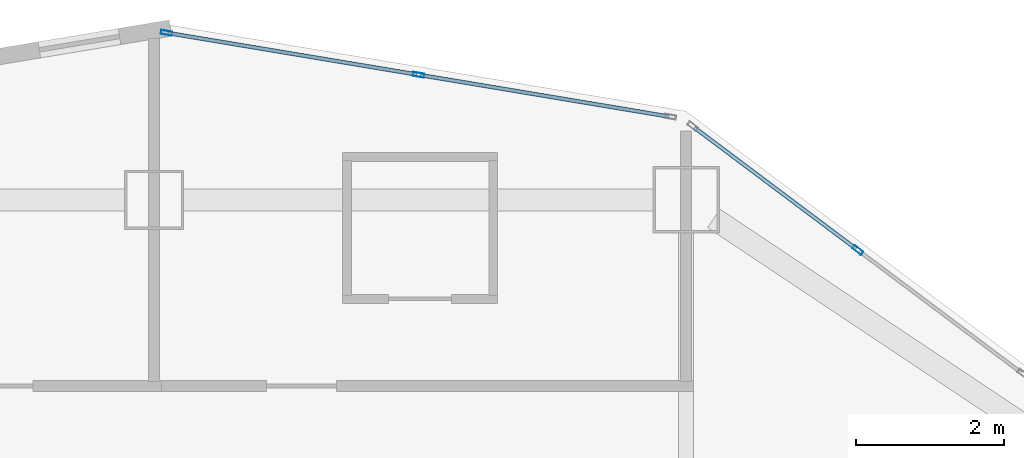
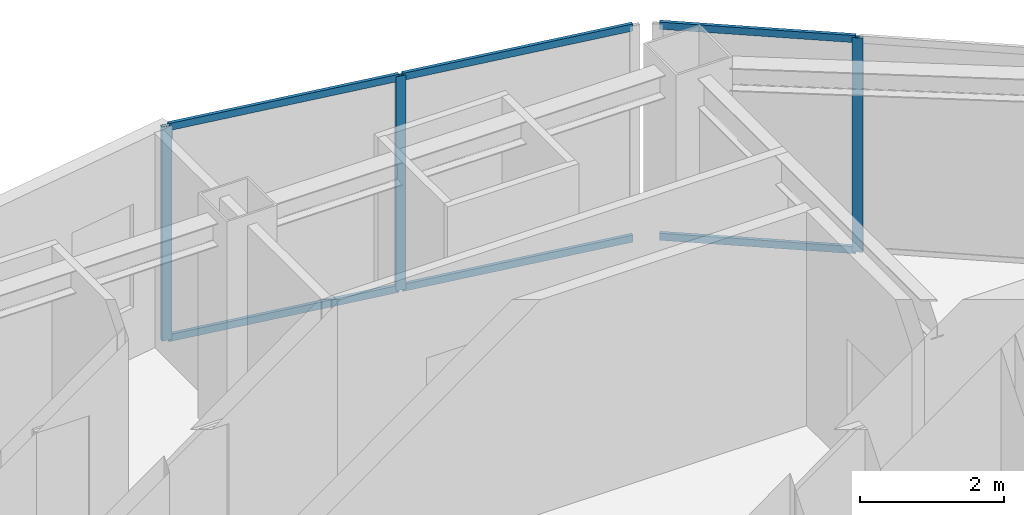
# One storey, part 2 of 11: 9 members, 2 elements without a shape of their own.
"""IFC4 building model written with IfcOpenShell, lengths in metres."""

from ifc_helpers import new_model, si_unit, direction, frame, origin, origin_2d, place, context, subcontext, project, spatial, hollow_rectangle, extrude, material, layer, layer_set, material_profile, profile_set, type_object, element, aggregate, save


model = new_model("IFC4")

# Units and contexts
model_context = context("Model", 3, precision=1e-05, world=origin(), true_north=direction((0.0, 1.0)))
body_context = subcontext(model_context, "Body", "Model", "MODEL_VIEW")
ifc_project = project(units=[si_unit("LENGTHUNIT", "METRE"), si_unit("AREAUNIT", "SQUARE_METRE"), si_unit("VOLUMEUNIT", "CUBIC_METRE"), si_unit("PLANEANGLEUNIT", "RADIAN"), si_unit("MASSUNIT", "GRAM", prefix="KILO")], contexts=[model_context])

# Site, building, storey
site_placement = place(None, origin())
site = spatial("IfcSite", under=ifc_project, at=site_placement, CompositionType="ELEMENT")
building_placement = place(site_placement, origin())
building = spatial("IfcBuilding", under=site, at=building_placement, Name="Haolan Belvedere Tower", CompositionType="ELEMENT")
storey_placement = place(building_placement, frame((0.0, 0.0, 215.39990234375)))
storey = spatial("IfcBuildingStorey", under=building, at=storey_placement, Name="L54", CompositionType="ELEMENT", Elevation=215.39990234375)

# Curtain wall, member
ifc_material_1 = material(Name="Anodised champagne-silver aluminium 6063-T6 and Low-E glass", Category="aluminium")
ifc_layer = layer(ifc_material_1, 0.14990234375, Name="Anodised champagne-silver aluminium 6063-T6 and Low-E glass")
ifc_layer_set = layer_set([ifc_layer], Name="Anodised champagne-silver aluminium 6063-T6 and Low-E glass")
curtain_wall_type = type_object("IfcCurtainWallType", Name="CW-SYS-04", PredefinedType="NOTDEFINED", material=ifc_layer_set)
curtain_wall_1_placement = place(storey_placement, origin())
curtain_wall_1 = element("IfcCurtainWall", 1, at=curtain_wall_1_placement, inside=storey, type_object=curtain_wall_type, Name="L54 CW-SYS-04 ribbon curtain wall 20.1", PredefinedType="NOTDEFINED")
ifc_material_2 = material(Name="Anodised aluminium 6063-T6", Category="aluminium")
ifc_material_profile_1 = material_profile(ifc_material_2, hollow_rectangle(XDim=0.055908203125, YDim=0.14990234375, WallThickness=0.00390625, at=origin_2d()), Name="Anodised aluminium 6063-T6")
ifc_profile_set_1 = profile_set([ifc_material_profile_1], Name="Anodised aluminium 6063-T6")
member_type_1 = type_object("IfcMemberType", Name="CW-SYS-04-MUL", PredefinedType="MULLION", material=ifc_profile_set_1)
member_1_placement = place(storey_placement, frame((47.9228515625, 49.720458984375, 0.0), z_axis=(0.0, 0.0, 1.0), x_axis=(-0.600002837806, -0.799997871638, 0.0)))
member_1 = element("IfcMember", 2, at=member_1_placement, type_object=member_type_1, Name="CW-04 mullion 2", PredefinedType="MULLION", context=body_context, shape_type="SweptSolid", body=[
    extrude(hollow_rectangle(XDim=0.055908203125, YDim=0.14990234375, WallThickness=0.00390625, at=origin_2d()), origin(), (0.0, 0.0, 1.0), 3.6201171875),
])

# Curtain wall, members
curtain_wall_2_placement = place(storey_placement, origin())
curtain_wall_2 = element("IfcCurtainWall", 3, at=curtain_wall_2_placement, inside=storey, type_object=curtain_wall_type, Name="L54 CW-SYS-04 ribbon curtain wall 21.1", PredefinedType="NOTDEFINED")
member_2_placement = place(storey_placement, frame((41.977783203125, 52.09228515625, 0.0), z_axis=(0.0, 0.0, 1.0), x_axis=(-0.164405962825, -0.98639276122, 0.0)))
member_2 = element("IfcMember", 4, at=member_2_placement, type_object=member_type_1, Name="CW-04 mullion 2", PredefinedType="MULLION", context=body_context, shape_type="SweptSolid", body=[
    extrude(hollow_rectangle(XDim=0.055908203125, YDim=0.14990234375, WallThickness=0.00390625, at=origin_2d()), origin(), (0.0, 0.0, 1.0), 3.6201171875),
])
member_3_placement = place(storey_placement, frame((38.565673828125, 52.660888671875, 0.0), z_axis=(0.0, 0.0, 1.0), x_axis=(-0.164405962825, -0.98639276122, 0.0)))
member_3 = element("IfcMember", 5, at=member_3_placement, type_object=member_type_1, Name="CW-04 mullion 3", PredefinedType="MULLION", context=body_context, shape_type="SweptSolid", body=[
    extrude(hollow_rectangle(XDim=0.055908203125, YDim=0.14990234375, WallThickness=0.00390625, at=origin_2d()), origin(), (0.0, 0.0, 1.0), 3.6201171875),
])

# Member
ifc_material_profile_2 = material_profile(ifc_material_2, hollow_rectangle(XDim=0.052001953125, YDim=0.1201171875, WallThickness=0.00390625, at=origin_2d()), Name="Anodised aluminium 6063-T6")
ifc_profile_set_2 = profile_set([ifc_material_profile_2], Name="Anodised aluminium 6063-T6")
member_type_2 = type_object("IfcMemberType", Name="CW-SYS-04-TRN", PredefinedType="USERDEFINED", material=ifc_profile_set_2)
member_4_placement = place(storey_placement, frame((47.900390625, 49.7373046875, 0.026123046875), z_axis=(-0.799978576274, 0.600028563905, 0.0), x_axis=(-0.600028563905, -0.799978576274, 0.0)))
member_4 = element("IfcMember", 6, at=member_4_placement, type_object=member_type_2, Name="CW-04 transom 2.1", ObjectType="TRANSOM", PredefinedType="USERDEFINED", context=body_context, shape_type="SweptSolid", body=[
    extrude(hollow_rectangle(XDim=0.052001953125, YDim=0.1201171875, WallThickness=0.00390625, at=origin_2d()), origin(), (0.0, 0.0, 1.0), 2.735107421875),
])

member_5_placement = place(storey_placement, frame((47.900390625, 49.7373046875, 3.593994140625), z_axis=(-0.799978576274, 0.600028563905, 0.0), x_axis=(-0.600028563905, -0.799978576274, 0.0)))
member_5 = element("IfcMember", 7, at=member_5_placement, type_object=member_type_2, Name="CW-04 transom 2.2", ObjectType="TRANSOM", PredefinedType="USERDEFINED", context=body_context, shape_type="SweptSolid", body=[
    extrude(hollow_rectangle(XDim=0.052001953125, YDim=0.1201171875, WallThickness=0.00390625, at=origin_2d()), origin(), (0.0, 0.0, 1.0), 2.735107421875),
])

aggregate(curtain_wall_1, [member_1, member_4, member_5])

member_6_placement = place(storey_placement, frame((45.362060546875, 51.528076171875, 0.026123046875), z_axis=(-0.986388106252, 0.164433888976, 0.0), x_axis=(-0.164433888976, -0.986388106252, 0.0)))
member_6 = element("IfcMember", 8, at=member_6_placement, type_object=member_type_2, Name="CW-04 transom 1.1", ObjectType="TRANSOM", PredefinedType="USERDEFINED", context=body_context, shape_type="SweptSolid", body=[
    extrude(hollow_rectangle(XDim=0.052001953125, YDim=0.1201171875, WallThickness=0.00390625, at=origin_2d()), origin(), (0.0, 0.0, 1.0), 3.403076171875),
])

member_7_placement = place(storey_placement, frame((45.362060546875, 51.528076171875, 3.593994140625), z_axis=(-0.986388106252, 0.164433888976, 0.0), x_axis=(-0.164433888976, -0.986388106252, 0.0)))
member_7 = element("IfcMember", 9, at=member_7_placement, type_object=member_type_2, Name="CW-04 transom 1.2", ObjectType="TRANSOM", PredefinedType="USERDEFINED", context=body_context, shape_type="SweptSolid", body=[
    extrude(hollow_rectangle(XDim=0.052001953125, YDim=0.1201171875, WallThickness=0.00390625, at=origin_2d()), origin(), (0.0, 0.0, 1.0), 3.403076171875),
])

member_8_placement = place(storey_placement, frame((41.9501953125, 52.096923828125, 0.026123046875), z_axis=(-0.986401678227, 0.164352454169, 0.0), x_axis=(-0.164352454169, -0.986401678227, 0.0)))
member_8 = element("IfcMember", 10, at=member_8_placement, type_object=member_type_2, Name="CW-04 transom 2.1", ObjectType="TRANSOM", PredefinedType="USERDEFINED", context=body_context, shape_type="SweptSolid", body=[
    extrude(hollow_rectangle(XDim=0.052001953125, YDim=0.1201171875, WallThickness=0.00390625, at=origin_2d()), origin(), (0.0, 0.0, 1.0), 3.4033203125),
])

member_9_placement = place(storey_placement, frame((41.9501953125, 52.096923828125, 3.593994140625), z_axis=(-0.986401678227, 0.164352454169, 0.0), x_axis=(-0.164352454169, -0.986401678227, 0.0)))
member_9 = element("IfcMember", 11, at=member_9_placement, type_object=member_type_2, Name="CW-04 transom 2.2", ObjectType="TRANSOM", PredefinedType="USERDEFINED", context=body_context, shape_type="SweptSolid", body=[
    extrude(hollow_rectangle(XDim=0.052001953125, YDim=0.1201171875, WallThickness=0.00390625, at=origin_2d()), origin(), (0.0, 0.0, 1.0), 3.4033203125),
])

aggregate(curtain_wall_2, [member_2, member_3, member_6, member_7, member_8, member_9])

save(model, "model.ifc")
